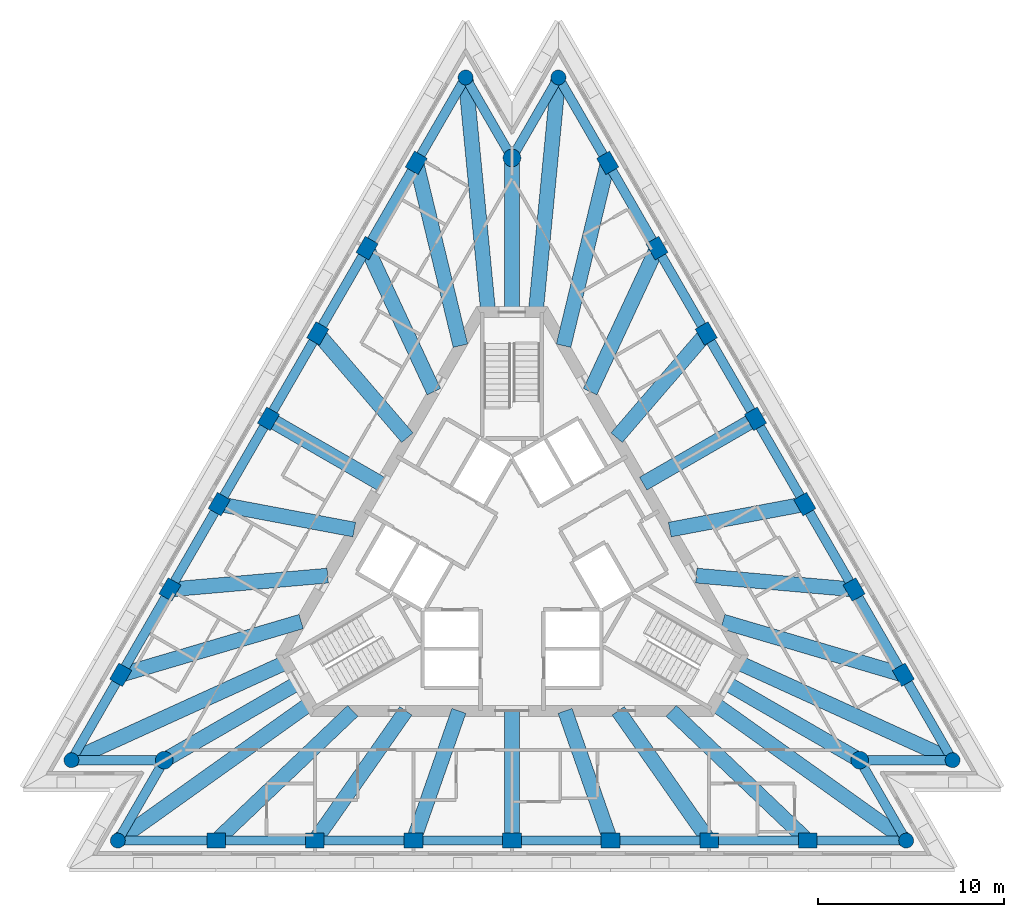
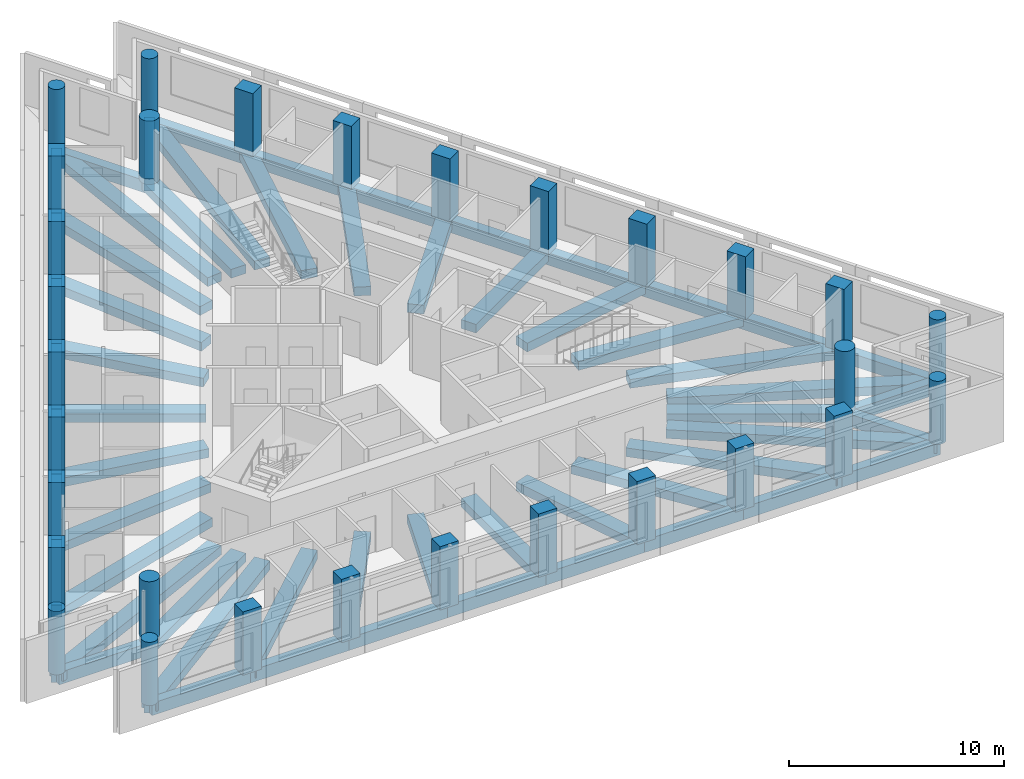
# One storey, part 1 of 11: 60 beams, 30 columns.
"""IFC4 building model written with IfcOpenShell, lengths in metres."""

from ifc_helpers import new_model, si_unit, direction, frame, origin, origin_2d, place, context, subcontext, project, spatial, rectangle, circle, extrude, material, material_profile, profile_set, type_object, element, save


model = new_model("IFC4")

# Units and contexts
model_context = context("Model", 3, precision=1e-05, world=origin(), true_north=direction((0.0, 1.0)))
body_context = subcontext(model_context, "Body", "Model", "MODEL_VIEW")
ifc_project = project(units=[si_unit("LENGTHUNIT", "METRE"), si_unit("AREAUNIT", "SQUARE_METRE"), si_unit("VOLUMEUNIT", "CUBIC_METRE"), si_unit("PLANEANGLEUNIT", "RADIAN"), si_unit("MASSUNIT", "GRAM", prefix="KILO")], contexts=[model_context])

# Site, building, storey
site_placement = place(None, origin())
site = spatial("IfcSite", under=ifc_project, at=site_placement, CompositionType="ELEMENT")
building_placement = place(site_placement, origin())
building = spatial("IfcBuilding", under=site, at=building_placement, Name="Triada Interchange Tower", CompositionType="ELEMENT")
storey_placement = place(building_placement, frame((0.0, 0.0, 300.699951171875)))
storey = spatial("IfcBuildingStorey", under=building, at=storey_placement, Name="L71", CompositionType="ELEMENT", Elevation=300.699951171875)

# Columns
ifc_material_1 = material(Name="Concrete C40/50", Category="concrete")
ifc_material_profile_1 = material_profile(ifc_material_1, rectangle(XDim=1.0, YDim=0.800048828125, at=origin_2d()), Name="RC 1000x800")
ifc_profile_set_1 = profile_set([ifc_material_profile_1], Name="Concrete C40/50")
column_type_1 = type_object("IfcColumnType", Name="Column D face RC 1000x800", PredefinedType="COLUMN", material=ifc_profile_set_1)
for number, where, z_axis, x_axis, name in (
    (1, (-5.14794921875, 21.3359375, -0.300048828125), (0.0, 0.0, 1.0), (0.5, 0.866025403784, 0.0), "Column CD02 L71"),
    (2, (-7.799072265625, 16.7451171875, -0.300048828125), (0.0, 0.0, 1.0), (0.5, 0.866025403784, 0.0), "Column CD03 L71"),
    (3, (-10.449951171875, 12.154052734375, -0.300048828125), (0.0, 0.0, 1.0), (0.5, 0.866025403784, 0.0), "Column CD04 L71"),
    (4, (-13.10009765625, 7.56298828125, -0.300048828125), (0.0, 0.0, 1.0), (0.5, 0.866025403784, 0.0), "Column CD05 L71"),
    (5, (-15.7509765625, 2.972900390625, -0.300048828125), (0.0, 0.0, 1.0), (0.5, 0.866025403784, 0.0), "Column CD06 L71"),
    (6, (-18.40087890625, -1.617919921875, -0.300048828125), (0.0, 0.0, 1.0), (0.5, 0.866025403784, 0.0), "Column CD07 L71"),
    (7, (-21.052001953125, -6.208984375, -0.300048828125), (0.0, 0.0, 1.0), (0.5, 0.866025403784, 0.0), "Column CD08 L71"),
    (8, (-15.903076171875, -15.126953125, -0.300048828125), (0.0, 0.0, 1.0), (1.0, 0.0, 0.0), "Column CD11 L71"),
    (9, (-10.60205078125, -15.126953125, -0.300048828125), (0.0, 0.0, 1.0), (1.0, 0.0, 0.0), "Column CD12 L71"),
    (10, (-5.301025390625, -15.126953125, -0.300048828125), (0.0, 0.0, 1.0), (1.0, 0.0, 0.0), "Column CD13 L71"),
    (11, (0.0, -15.126953125, -0.300048828125), (0.0, 0.0, 1.0), (1.0, 0.0, 0.0), "Column CD14 L71"),
    (12, (5.301025390625, -15.126953125, -0.300048828125), (0.0, 0.0, 1.0), (1.0, 0.0, 0.0), "Column CD15 L71"),
    (13, (10.60205078125, -15.126953125, -0.300048828125), (0.0, 0.0, 1.0), (1.0, 0.0, 0.0), "Column CD16 L71"),
    (14, (15.903076171875, -15.126953125, -0.300048828125), (0.0, 0.0, 1.0), (1.0, 0.0, 0.0), "Column CD17 L71"),
    (15, (21.052001953125, -6.208984375, -0.300048828125), (0.0, 0.0, 1.0), (-0.5, 0.866025403784, 0.0), "Column CD20 L71"),
    (16, (18.40087890625, -1.617919921875, -0.300048828125), (0.0, 0.0, 1.0), (-0.5, 0.866025403784, 0.0), "Column CD21 L71"),
    (17, (15.7509765625, 2.972900390625, -0.300048828125), (0.0, 0.0, 1.0), (-0.5, 0.866025403784, 0.0), "Column CD22 L71"),
    (18, (13.10009765625, 7.56396484375, -0.300048828125), (0.0, 0.0, 1.0), (-0.5, 0.866025403784, 0.0), "Column CD23 L71"),
    (19, (10.449951171875, 12.154052734375, -0.300048828125), (0.0, 0.0, 1.0), (-0.5, 0.866025403784, 0.0), "Column CD24 L71"),
    (20, (7.799072265625, 16.7451171875, -0.300048828125), (0.0, 0.0, 1.0), (-0.5, 0.866025403784, 0.0), "Column CD25 L71"),
    (21, (5.14892578125, 21.3359375, -0.300048828125), (0.0, 0.0, 1.0), (-0.5, 0.866025403784, 0.0), "Column CD26 L71"),
):
    element("IfcColumn", number, at=place(storey_placement, frame(where, z_axis=z_axis, x_axis=x_axis)), inside=storey, type_object=column_type_1, Name=name, PredefinedType="COLUMN", context=body_context, shape_type="SweptSolid", body=[
        extrude(rectangle(XDim=1.0, YDim=0.800048828125, at=origin_2d()), origin(), (0.0, 0.0, 1.0), 3.60009765625),
    ])
ifc_material_profile_2 = material_profile(ifc_material_1, circle(Radius=0.39990234375, at=origin_2d()), Name="RC D800")
ifc_profile_set_2 = profile_set([ifc_material_profile_2], Name="Concrete C40/50")
column_type_2 = type_object("IfcColumnType", Name="End column D RC D800", PredefinedType="COLUMN", material=ifc_profile_set_2)
for number, where, z_axis, x_axis, name in (
    (22, (-2.498046875, 25.927001953125, -0.300048828125), (0.0, 0.0, 1.0), (0.5, 0.866025403784, 0.0), "Column CD01 L71"),
    (23, (-23.701904296875, -10.800048828125, -0.300048828125), (0.0, 0.0, 1.0), (0.5, 0.866025403784, 0.0), "Column CD09 L71"),
    (24, (-21.2041015625, -15.126953125, -0.300048828125), (0.0, 0.0, 1.0), (1.0, 0.0, 0.0), "Column CD10 L71"),
    (25, (21.2041015625, -15.126953125, -0.300048828125), (0.0, 0.0, 1.0), (1.0, 0.0, 0.0), "Column CD18 L71"),
    (26, (23.701904296875, -10.800048828125, -0.300048828125), (0.0, 0.0, 1.0), (-0.5, 0.866025403784, 0.0), "Column CD19 L71"),
    (27, (2.498046875, 25.927001953125, -0.300048828125), (0.0, 0.0, 1.0), (-0.5, 0.866025403784, 0.0), "Column CD27 L71"),
):
    element("IfcColumn", number, at=place(storey_placement, frame(where, z_axis=z_axis, x_axis=x_axis)), inside=storey, type_object=column_type_2, Name=name, PredefinedType="COLUMN", context=body_context, shape_type="SweptSolid", body=[
        extrude(circle(Radius=0.39990234375, at=origin_2d()), origin(), (0.0, 0.0, 1.0), 3.60009765625),
    ])
ifc_material_profile_3 = material_profile(ifc_material_1, circle(Radius=0.47509765625, at=origin_2d()), Name="RC D950")
ifc_profile_set_3 = profile_set([ifc_material_profile_3], Name="Concrete C40/50")
column_type_3 = type_object("IfcColumnType", Name="Mega column D RC D950", PredefinedType="COLUMN", material=ifc_profile_set_3)
for number, where, z_axis, x_axis, name in (
    (28, (0.0, 21.59912109375, -0.300048828125), (0.0, 0.0, 1.0), (1.0, 0.0, 0.0), "Column MD1 L71"),
    (29, (-18.705078125, -10.800048828125, -0.300048828125), (0.0, 0.0, 1.0), (1.0, 0.0, 0.0), "Column MD2 L71"),
    (30, (18.705078125, -10.800048828125, -0.300048828125), (0.0, 0.0, 1.0), (1.0, 0.0, 0.0), "Column MD3 L71"),
):
    element("IfcColumn", number, at=place(storey_placement, frame(where, z_axis=z_axis, x_axis=x_axis)), inside=storey, type_object=column_type_3, Name=name, PredefinedType="COLUMN", context=body_context, shape_type="SweptSolid", body=[
        extrude(circle(Radius=0.47509765625, at=origin_2d()), origin(), (0.0, 0.0, 1.0), 3.60009765625),
    ])

# Beams
ifc_material_2 = material(Name="Concrete C50/60", Category="concrete")
ifc_material_profile_4 = material_profile(ifc_material_2, rectangle(XDim=0.800048828125, YDim=0.5, at=origin_2d()), Name="RC 800x500")
ifc_profile_set_4 = profile_set([ifc_material_profile_4], Name="Concrete C50/60")
beam_type_1 = type_object("IfcBeamType", Name="Radial band beam D RC 800x500", PredefinedType="BEAM", material=ifc_profile_set_4)
beam_1_placement = place(storey_placement, frame((-2.498046875, 25.927001953125, -0.550048828125), z_axis=(0.095939769878, -0.995387141044, 0.0), x_axis=(0.995387141044, 0.095939769878, 0.0)))
element("IfcBeam", 31, at=beam_1_placement, inside=storey, type_object=beam_type_1, Name="Radial band beam BD01 L71", PredefinedType="BEAM", context=body_context, shape_type="SweptSolid", body=[
    extrude(rectangle(XDim=0.800048828125, YDim=0.5, at=origin_2d()), origin(), (0.0, 0.0, 1.0), 12.685546875),
])
beam_2_placement = place(storey_placement, frame((-5.14794921875, 21.3359375, -0.550048828125), z_axis=(0.23453679136, -0.972107243826, 0.0), x_axis=(0.972107243826, 0.23453679136, 0.0)))
element("IfcBeam", 32, at=beam_2_placement, inside=storey, type_object=beam_type_1, Name="Radial band beam BD02 L71", PredefinedType="BEAM", context=body_context, shape_type="SweptSolid", body=[
    extrude(rectangle(XDim=0.800048828125, YDim=0.5, at=origin_2d()), origin(), (0.0, 0.0, 1.0), 10.1220703125),
])
beam_3_placement = place(storey_placement, frame((-7.799072265625, 16.7451171875, -0.550048828125), z_axis=(0.422213926037, -0.906496222088, 0.0), x_axis=(0.906496222088, 0.422213926037, 0.0)))
element("IfcBeam", 33, at=beam_3_placement, inside=storey, type_object=beam_type_1, Name="Radial band beam BD03 L71", PredefinedType="BEAM", context=body_context, shape_type="SweptSolid", body=[
    extrude(rectangle(XDim=0.800048828125, YDim=0.5, at=origin_2d()), origin(), (0.0, 0.0, 1.0), 8.519775390625),
])
beam_4_placement = place(storey_placement, frame((-10.449951171875, 12.154052734375, -0.550048828125), z_axis=(0.651957260015, -0.758255716176, 0.0), x_axis=(0.758255716176, 0.651957260015, 0.0)))
element("IfcBeam", 34, at=beam_4_placement, inside=storey, type_object=beam_type_1, Name="Radial band beam BD04 L71", PredefinedType="BEAM", context=body_context, shape_type="SweptSolid", body=[
    extrude(rectangle(XDim=0.800048828125, YDim=0.5, at=origin_2d()), origin(), (0.0, 0.0, 1.0), 7.393310546875),
])
beam_5_placement = place(storey_placement, frame((-13.10009765625, 7.56298828125, -0.550048828125), z_axis=(0.866044563634, -0.499966812698, 0.0), x_axis=(0.499966812698, 0.866044563634, 0.0)))
element("IfcBeam", 35, at=beam_5_placement, inside=storey, type_object=beam_type_1, Name="Radial band beam BD05 L71", PredefinedType="BEAM", context=body_context, shape_type="SweptSolid", body=[
    extrude(rectangle(XDim=0.800048828125, YDim=0.5, at=origin_2d()), origin(), (0.0, 0.0, 1.0), 6.9765625),
])
beam_6_placement = place(storey_placement, frame((-15.7509765625, 2.972900390625, -0.550048828125), z_axis=(0.98265881565, -0.18542290049, 0.0), x_axis=(0.18542290049, 0.98265881565, 0.0)))
element("IfcBeam", 36, at=beam_6_placement, inside=storey, type_object=beam_type_1, Name="Radial band beam BD06 L71", PredefinedType="BEAM", context=body_context, shape_type="SweptSolid", body=[
    extrude(rectangle(XDim=0.800048828125, YDim=0.5, at=origin_2d()), origin(), (0.0, 0.0, 1.0), 7.39306640625),
])
beam_7_placement = place(storey_placement, frame((-18.40087890625, -1.617919921875, -0.550048828125), z_axis=(0.99616048749, 0.087545891758, 0.0), x_axis=(-0.087545891758, 0.99616048749, 0.0)))
element("IfcBeam", 37, at=beam_7_placement, inside=storey, type_object=beam_type_1, Name="Radial band beam BD07 L71", PredefinedType="BEAM", context=body_context, shape_type="SweptSolid", body=[
    extrude(rectangle(XDim=0.800048828125, YDim=0.5, at=origin_2d()), origin(), (0.0, 0.0, 1.0), 8.51953125),
])
beam_8_placement = place(storey_placement, frame((-21.052001953125, -6.208984375, -0.550048828125), z_axis=(0.959147479371, 0.282906544315, 0.0), x_axis=(-0.282906544315, 0.959147479371, 0.0)))
element("IfcBeam", 38, at=beam_8_placement, inside=storey, type_object=beam_type_1, Name="Radial band beam BD08 L71", PredefinedType="BEAM", context=body_context, shape_type="SweptSolid", body=[
    extrude(rectangle(XDim=0.800048828125, YDim=0.5, at=origin_2d()), origin(), (0.0, 0.0, 1.0), 10.12353515625),
])
beam_9_placement = place(storey_placement, frame((-23.701904296875, -10.800048828125, -0.550048828125), z_axis=(0.909973888485, 0.414665554725, 0.0), x_axis=(-0.414665554725, 0.909973888485, 0.0)))
element("IfcBeam", 39, at=beam_9_placement, inside=storey, type_object=beam_type_1, Name="Radial band beam BD09 L71", PredefinedType="BEAM", context=body_context, shape_type="SweptSolid", body=[
    extrude(rectangle(XDim=0.800048828125, YDim=0.5, at=origin_2d()), origin(), (0.0, 0.0, 1.0), 12.68505859375),
])
beam_10_placement = place(storey_placement, frame((-18.705078125, -10.800048828125, -0.550048828125), z_axis=(0.865987661239, 0.500065366309, 0.0), x_axis=(-0.500065366309, 0.865987661239, 0.0)))
element("IfcBeam", 40, at=beam_10_placement, inside=storey, type_object=beam_type_1, Name="Radial band beam BD10 L71", PredefinedType="BEAM", context=body_context, shape_type="SweptSolid", body=[
    extrude(rectangle(XDim=0.800048828125, YDim=0.5, at=origin_2d()), origin(), (0.0, 0.0, 1.0), 8.29931640625),
])
beam_11_placement = place(storey_placement, frame((-21.2041015625, -15.126953125, -0.550048828125), z_axis=(0.814090922147, 0.58073743678, 0.0), x_axis=(-0.58073743678, 0.814090922147, 0.0)))
element("IfcBeam", 41, at=beam_11_placement, inside=storey, type_object=beam_type_1, Name="Radial band beam BD11 L71", PredefinedType="BEAM", context=body_context, shape_type="SweptSolid", body=[
    extrude(rectangle(XDim=0.800048828125, YDim=0.5, at=origin_2d()), origin(), (0.0, 0.0, 1.0), 12.685546875),
])
beam_12_placement = place(storey_placement, frame((-15.903076171875, -15.126953125, -0.550048828125), z_axis=(0.724563348974, 0.689208207528, 0.0), x_axis=(-0.689208207528, 0.724563348974, 0.0)))
element("IfcBeam", 42, at=beam_12_placement, inside=storey, type_object=beam_type_1, Name="Radial band beam BD12 L71", PredefinedType="BEAM", context=body_context, shape_type="SweptSolid", body=[
    extrude(rectangle(XDim=0.800048828125, YDim=0.5, at=origin_2d()), origin(), (0.0, 0.0, 1.0), 10.123291015625),
])
beam_13_placement = place(storey_placement, frame((-10.60205078125, -15.126953125, -0.550048828125), z_axis=(0.573950716028, 0.818889843368, 0.0), x_axis=(-0.818889843368, 0.573950716028, 0.0)))
element("IfcBeam", 43, at=beam_13_placement, inside=storey, type_object=beam_type_1, Name="Radial band beam BD13 L71", PredefinedType="BEAM", context=body_context, shape_type="SweptSolid", body=[
    extrude(rectangle(XDim=0.800048828125, YDim=0.5, at=origin_2d()), origin(), (0.0, 0.0, 1.0), 8.52001953125),
])
beam_14_placement = place(storey_placement, frame((-5.301025390625, -15.126953125, -0.550048828125), z_axis=(0.330724020602, 0.943727514803, 0.0), x_axis=(-0.943727514803, 0.330724020602, 0.0)))
element("IfcBeam", 44, at=beam_14_placement, inside=storey, type_object=beam_type_1, Name="Radial band beam BD14 L71", PredefinedType="BEAM", context=body_context, shape_type="SweptSolid", body=[
    extrude(rectangle(XDim=0.800048828125, YDim=0.5, at=origin_2d()), origin(), (0.0, 0.0, 1.0), 7.39306640625),
])
beam_15_placement = place(storey_placement, frame((0.0, -15.126953125, -0.550048828125), z_axis=(0.0, 1.0, 0.0), x_axis=(-1.0, 0.0, 0.0)))
element("IfcBeam", 45, at=beam_15_placement, inside=storey, type_object=beam_type_1, Name="Radial band beam BD15 L71", PredefinedType="BEAM", context=body_context, shape_type="SweptSolid", body=[
    extrude(rectangle(XDim=0.800048828125, YDim=0.5, at=origin_2d()), origin(), (0.0, 0.0, 1.0), 6.97705078125),
])
beam_16_placement = place(storey_placement, frame((5.301025390625, -15.126953125, -0.550048828125), z_axis=(-0.330724020602, 0.943727514803, 0.0), x_axis=(-0.943727514803, -0.330724020602, 0.0)))
element("IfcBeam", 46, at=beam_16_placement, inside=storey, type_object=beam_type_1, Name="Radial band beam BD16 L71", PredefinedType="BEAM", context=body_context, shape_type="SweptSolid", body=[
    extrude(rectangle(XDim=0.800048828125, YDim=0.5, at=origin_2d()), origin(), (0.0, 0.0, 1.0), 7.39306640625),
])
beam_17_placement = place(storey_placement, frame((10.60205078125, -15.126953125, -0.550048828125), z_axis=(-0.573950716028, 0.818889843368, 0.0), x_axis=(-0.818889843368, -0.573950716028, 0.0)))
element("IfcBeam", 47, at=beam_17_placement, inside=storey, type_object=beam_type_1, Name="Radial band beam BD17 L71", PredefinedType="BEAM", context=body_context, shape_type="SweptSolid", body=[
    extrude(rectangle(XDim=0.800048828125, YDim=0.5, at=origin_2d()), origin(), (0.0, 0.0, 1.0), 8.52001953125),
])
beam_18_placement = place(storey_placement, frame((15.903076171875, -15.126953125, -0.550048828125), z_axis=(-0.724563348974, 0.689208207528, 0.0), x_axis=(-0.689208207528, -0.724563348974, 0.0)))
element("IfcBeam", 48, at=beam_18_placement, inside=storey, type_object=beam_type_1, Name="Radial band beam BD18 L71", PredefinedType="BEAM", context=body_context, shape_type="SweptSolid", body=[
    extrude(rectangle(XDim=0.800048828125, YDim=0.5, at=origin_2d()), origin(), (0.0, 0.0, 1.0), 10.123291015625),
])
beam_19_placement = place(storey_placement, frame((21.2041015625, -15.126953125, -0.550048828125), z_axis=(-0.814090922147, 0.58073743678, 0.0), x_axis=(-0.58073743678, -0.814090922147, 0.0)))
element("IfcBeam", 49, at=beam_19_placement, inside=storey, type_object=beam_type_1, Name="Radial band beam BD19 L71", PredefinedType="BEAM", context=body_context, shape_type="SweptSolid", body=[
    extrude(rectangle(XDim=0.800048828125, YDim=0.5, at=origin_2d()), origin(), (0.0, 0.0, 1.0), 12.685546875),
])
beam_20_placement = place(storey_placement, frame((18.705078125, -10.800048828125, -0.550048828125), z_axis=(-0.865987661239, 0.500065366309, 0.0), x_axis=(-0.500065366309, -0.865987661239, 0.0)))
element("IfcBeam", 50, at=beam_20_placement, inside=storey, type_object=beam_type_1, Name="Radial band beam BD20 L71", PredefinedType="BEAM", context=body_context, shape_type="SweptSolid", body=[
    extrude(rectangle(XDim=0.800048828125, YDim=0.5, at=origin_2d()), origin(), (0.0, 0.0, 1.0), 8.29931640625),
])
beam_21_placement = place(storey_placement, frame((23.701904296875, -10.800048828125, -0.550048828125), z_axis=(-0.909973888485, 0.414665554725, 0.0), x_axis=(-0.414665554725, -0.909973888485, 0.0)))
element("IfcBeam", 51, at=beam_21_placement, inside=storey, type_object=beam_type_1, Name="Radial band beam BD21 L71", PredefinedType="BEAM", context=body_context, shape_type="SweptSolid", body=[
    extrude(rectangle(XDim=0.800048828125, YDim=0.5, at=origin_2d()), origin(), (0.0, 0.0, 1.0), 12.68505859375),
])
beam_22_placement = place(storey_placement, frame((21.052001953125, -6.208984375, -0.550048828125), z_axis=(-0.959147479371, 0.282906544315, 0.0), x_axis=(-0.282906544315, -0.959147479371, 0.0)))
element("IfcBeam", 52, at=beam_22_placement, inside=storey, type_object=beam_type_1, Name="Radial band beam BD22 L71", PredefinedType="BEAM", context=body_context, shape_type="SweptSolid", body=[
    extrude(rectangle(XDim=0.800048828125, YDim=0.5, at=origin_2d()), origin(), (0.0, 0.0, 1.0), 10.12353515625),
])
beam_23_placement = place(storey_placement, frame((18.40087890625, -1.617919921875, -0.550048828125), z_axis=(-0.99616048749, 0.087545891758, 0.0), x_axis=(-0.087545891758, -0.99616048749, 0.0)))
element("IfcBeam", 53, at=beam_23_placement, inside=storey, type_object=beam_type_1, Name="Radial band beam BD23 L71", PredefinedType="BEAM", context=body_context, shape_type="SweptSolid", body=[
    extrude(rectangle(XDim=0.800048828125, YDim=0.5, at=origin_2d()), origin(), (0.0, 0.0, 1.0), 8.51953125),
])
beam_24_placement = place(storey_placement, frame((15.7509765625, 2.972900390625, -0.550048828125), z_axis=(-0.98265881565, -0.18542290049, 0.0), x_axis=(0.18542290049, -0.98265881565, 0.0)))
element("IfcBeam", 54, at=beam_24_placement, inside=storey, type_object=beam_type_1, Name="Radial band beam BD24 L71", PredefinedType="BEAM", context=body_context, shape_type="SweptSolid", body=[
    extrude(rectangle(XDim=0.800048828125, YDim=0.5, at=origin_2d()), origin(), (0.0, 0.0, 1.0), 7.39306640625),
])
beam_25_placement = place(storey_placement, frame((13.10009765625, 7.56396484375, -0.550048828125), z_axis=(-0.865983951896, -0.500071789904, 0.0), x_axis=(0.500071789904, -0.865983951896, 0.0)))
element("IfcBeam", 55, at=beam_25_placement, inside=storey, type_object=beam_type_1, Name="Radial band beam BD25 L71", PredefinedType="BEAM", context=body_context, shape_type="SweptSolid", body=[
    extrude(rectangle(XDim=0.800048828125, YDim=0.5, at=origin_2d()), origin(), (0.0, 0.0, 1.0), 6.97705078125),
])
beam_26_placement = place(storey_placement, frame((10.449951171875, 12.154052734375, -0.550048828125), z_axis=(-0.651957260015, -0.758255716176, 0.0), x_axis=(0.758255716176, -0.651957260015, 0.0)))
element("IfcBeam", 56, at=beam_26_placement, inside=storey, type_object=beam_type_1, Name="Radial band beam BD26 L71", PredefinedType="BEAM", context=body_context, shape_type="SweptSolid", body=[
    extrude(rectangle(XDim=0.800048828125, YDim=0.5, at=origin_2d()), origin(), (0.0, 0.0, 1.0), 7.393310546875),
])
beam_27_placement = place(storey_placement, frame((7.799072265625, 16.7451171875, -0.550048828125), z_axis=(-0.422213926037, -0.906496222088, 0.0), x_axis=(0.906496222088, -0.422213926037, 0.0)))
element("IfcBeam", 57, at=beam_27_placement, inside=storey, type_object=beam_type_1, Name="Radial band beam BD27 L71", PredefinedType="BEAM", context=body_context, shape_type="SweptSolid", body=[
    extrude(rectangle(XDim=0.800048828125, YDim=0.5, at=origin_2d()), origin(), (0.0, 0.0, 1.0), 8.519775390625),
])
beam_28_placement = place(storey_placement, frame((5.14892578125, 21.3359375, -0.550048828125), z_axis=(-0.234605956845, -0.972090553916, 0.0), x_axis=(0.972090553916, -0.234605956845, 0.0)))
element("IfcBeam", 58, at=beam_28_placement, inside=storey, type_object=beam_type_1, Name="Radial band beam BD28 L71", PredefinedType="BEAM", context=body_context, shape_type="SweptSolid", body=[
    extrude(rectangle(XDim=0.800048828125, YDim=0.5, at=origin_2d()), origin(), (0.0, 0.0, 1.0), 10.123291015625),
])
beam_29_placement = place(storey_placement, frame((2.498046875, 25.927001953125, -0.550048828125), z_axis=(-0.095939769878, -0.995387141044, 0.0), x_axis=(0.995387141044, -0.095939769878, 0.0)))
element("IfcBeam", 59, at=beam_29_placement, inside=storey, type_object=beam_type_1, Name="Radial band beam BD29 L71", PredefinedType="BEAM", context=body_context, shape_type="SweptSolid", body=[
    extrude(rectangle(XDim=0.800048828125, YDim=0.5, at=origin_2d()), origin(), (0.0, 0.0, 1.0), 12.685546875),
])
beam_30_placement = place(storey_placement, frame((0.0, 21.59912109375, -0.550048828125), z_axis=(0.0, -1.0, 0.0), x_axis=(1.0, 0.0, 0.0)))
element("IfcBeam", 60, at=beam_30_placement, inside=storey, type_object=beam_type_1, Name="Radial band beam BD30 L71", PredefinedType="BEAM", context=body_context, shape_type="SweptSolid", body=[
    extrude(rectangle(XDim=0.800048828125, YDim=0.5, at=origin_2d()), origin(), (0.0, 0.0, 1.0), 8.299072265625),
])
ifc_material_profile_5 = material_profile(ifc_material_2, rectangle(XDim=0.5, YDim=0.699951171875, at=origin_2d()), Name="RC 500x700")
ifc_profile_set_5 = profile_set([ifc_material_profile_5], Name="Concrete C50/60")
beam_type_2 = type_object("IfcBeamType", Name="Spandrel beam D RC 500x700", PredefinedType="BEAM", material=ifc_profile_set_5)
beam_31_placement = place(storey_placement, frame((-2.498046875, 25.927001953125, -0.64990234375), z_axis=(-0.499893889275, -0.866086658173, 0.0), x_axis=(0.866086658173, -0.499893889275, 0.0)))
element("IfcBeam", 61, at=beam_31_placement, inside=storey, type_object=beam_type_2, Name="Spandrel beam ED01 L71", PredefinedType="BEAM", context=body_context, shape_type="SweptSolid", body=[
    extrude(rectangle(XDim=0.5, YDim=0.699951171875, at=origin_2d()), origin(), (0.0, 0.0, 1.0), 5.301025390625),
])
beam_32_placement = place(storey_placement, frame((-5.14794921875, 21.3359375, -0.64990234375), z_axis=(-0.500086537648, -0.865975435485, 0.0), x_axis=(0.865975435485, -0.500086537648, 0.0)))
element("IfcBeam", 62, at=beam_32_placement, inside=storey, type_object=beam_type_2, Name="Spandrel beam ED02 L71", PredefinedType="BEAM", context=body_context, shape_type="SweptSolid", body=[
    extrude(rectangle(XDim=0.5, YDim=0.699951171875, at=origin_2d()), origin(), (0.0, 0.0, 1.0), 5.30126953125),
])
beam_33_placement = place(storey_placement, frame((-7.799072265625, 16.7451171875, -0.64990234375), z_axis=(-0.500032058303, -0.866006894123, 0.0), x_axis=(0.866006894123, -0.500032058303, 0.0)))
element("IfcBeam", 63, at=beam_33_placement, inside=storey, type_object=beam_type_2, Name="Spandrel beam ED03 L71", PredefinedType="BEAM", context=body_context, shape_type="SweptSolid", body=[
    extrude(rectangle(XDim=0.5, YDim=0.699951171875, at=origin_2d()), origin(), (0.0, 0.0, 1.0), 5.301513671875),
])
beam_34_placement = place(storey_placement, frame((-10.449951171875, 12.154052734375, -0.64990234375), z_axis=(-0.499928435111, -0.86606671785, 0.0), x_axis=(0.86606671785, -0.499928435111, 0.0)))
element("IfcBeam", 64, at=beam_34_placement, inside=storey, type_object=beam_type_2, Name="Spandrel beam ED04 L71", PredefinedType="BEAM", context=body_context, shape_type="SweptSolid", body=[
    extrude(rectangle(XDim=0.5, YDim=0.699951171875, at=origin_2d()), origin(), (0.0, 0.0, 1.0), 5.301025390625),
])
beam_35_placement = place(storey_placement, frame((-13.10009765625, 7.56298828125, -0.64990234375), z_axis=(-0.500111836632, -0.865960825246, 0.0), x_axis=(0.865960825246, -0.500111836632, 0.0)))
element("IfcBeam", 65, at=beam_35_placement, inside=storey, type_object=beam_type_2, Name="Spandrel beam ED05 L71", PredefinedType="BEAM", context=body_context, shape_type="SweptSolid", body=[
    extrude(rectangle(XDim=0.5, YDim=0.699951171875, at=origin_2d()), origin(), (0.0, 0.0, 1.0), 5.300537109375),
])
beam_36_placement = place(storey_placement, frame((-15.7509765625, 2.972900390625, -0.64990234375), z_axis=(-0.499913830031, -0.866075148324, 0.0), x_axis=(0.866075148324, -0.499913830031, 0.0)))
element("IfcBeam", 66, at=beam_36_placement, inside=storey, type_object=beam_type_2, Name="Spandrel beam ED06 L71", PredefinedType="BEAM", context=body_context, shape_type="SweptSolid", body=[
    extrude(rectangle(XDim=0.5, YDim=0.699951171875, at=origin_2d()), origin(), (0.0, 0.0, 1.0), 5.30078125),
])
beam_37_placement = place(storey_placement, frame((-18.40087890625, -1.617919921875, -0.64990234375), z_axis=(-0.500066594595, -0.865986951963, 0.0), x_axis=(0.865986951963, -0.500066594595, 0.0)))
element("IfcBeam", 67, at=beam_37_placement, inside=storey, type_object=beam_type_2, Name="Spandrel beam ED07 L71", PredefinedType="BEAM", context=body_context, shape_type="SweptSolid", body=[
    extrude(rectangle(XDim=0.5, YDim=0.699951171875, at=origin_2d()), origin(), (0.0, 0.0, 1.0), 5.301513671875),
])
beam_38_placement = place(storey_placement, frame((-21.052001953125, -6.208984375, -0.64990234375), z_axis=(-0.499893889275, -0.866086658173, 0.0), x_axis=(0.866086658173, -0.499893889275, 0.0)))
element("IfcBeam", 68, at=beam_38_placement, inside=storey, type_object=beam_type_2, Name="Spandrel beam ED08 L71", PredefinedType="BEAM", context=body_context, shape_type="SweptSolid", body=[
    extrude(rectangle(XDim=0.5, YDim=0.699951171875, at=origin_2d()), origin(), (0.0, 0.0, 1.0), 5.301025390625),
])
for number, where, z_axis, x_axis, name in (
    (69, (-23.701904296875, -10.800048828125, -0.64990234375), (1.0, 0.0, 0.0), (0.0, 1.0, 0.0), "Spandrel beam ED09 L71"),
    (70, (-18.705078125, -10.800048828125, -0.64990234375), (-0.5001326927, -0.865948780063, 0.0), (0.865948780063, -0.5001326927, 0.0), "Spandrel beam ED10 L71"),
):
    element("IfcBeam", number, at=place(storey_placement, frame(where, z_axis=z_axis, x_axis=x_axis)), inside=storey, type_object=beam_type_2, Name=name, PredefinedType="BEAM", context=body_context, shape_type="SweptSolid", body=[
        extrude(rectangle(XDim=0.5, YDim=0.699951171875, at=origin_2d()), origin(), (0.0, 0.0, 1.0), 4.996826171875),
    ])
for number, where, z_axis, x_axis, name in (
    (71, (-21.2041015625, -15.126953125, -0.64990234375), (1.0, 0.0, 0.0), (0.0, 1.0, 0.0), "Spandrel beam ED11 L71"),
    (72, (-15.903076171875, -15.126953125, -0.64990234375), (1.0, 0.0, 0.0), (0.0, 1.0, 0.0), "Spandrel beam ED12 L71"),
    (73, (-10.60205078125, -15.126953125, -0.64990234375), (1.0, 0.0, 0.0), (0.0, 1.0, 0.0), "Spandrel beam ED13 L71"),
    (74, (-5.301025390625, -15.126953125, -0.64990234375), (1.0, 0.0, 0.0), (0.0, 1.0, 0.0), "Spandrel beam ED14 L71"),
    (75, (0.0, -15.126953125, -0.64990234375), (1.0, 0.0, 0.0), (0.0, 1.0, 0.0), "Spandrel beam ED15 L71"),
    (76, (5.301025390625, -15.126953125, -0.64990234375), (1.0, 0.0, 0.0), (0.0, 1.0, 0.0), "Spandrel beam ED16 L71"),
    (77, (10.60205078125, -15.126953125, -0.64990234375), (1.0, 0.0, 0.0), (0.0, 1.0, 0.0), "Spandrel beam ED17 L71"),
    (78, (15.903076171875, -15.126953125, -0.64990234375), (1.0, 0.0, 0.0), (0.0, 1.0, 0.0), "Spandrel beam ED18 L71"),
):
    element("IfcBeam", number, at=place(storey_placement, frame(where, z_axis=z_axis, x_axis=x_axis)), inside=storey, type_object=beam_type_2, Name=name, PredefinedType="BEAM", context=body_context, shape_type="SweptSolid", body=[
        extrude(rectangle(XDim=0.5, YDim=0.699951171875, at=origin_2d()), origin(), (0.0, 0.0, 1.0), 5.301025390625),
    ])
for number, where, z_axis, x_axis, name in (
    (79, (21.2041015625, -15.126953125, -0.64990234375), (-0.5001326927, 0.865948780063, 0.0), (-0.865948780063, -0.5001326927, 0.0), "Spandrel beam ED19 L71"),
    (80, (18.705078125, -10.800048828125, -0.64990234375), (1.0, 0.0, 0.0), (0.0, 1.0, 0.0), "Spandrel beam ED20 L71"),
):
    element("IfcBeam", number, at=place(storey_placement, frame(where, z_axis=z_axis, x_axis=x_axis)), inside=storey, type_object=beam_type_2, Name=name, PredefinedType="BEAM", context=body_context, shape_type="SweptSolid", body=[
        extrude(rectangle(XDim=0.5, YDim=0.699951171875, at=origin_2d()), origin(), (0.0, 0.0, 1.0), 4.996826171875),
    ])
beam_39_placement = place(storey_placement, frame((23.701904296875, -10.800048828125, -0.64990234375), z_axis=(-0.499893889275, 0.866086658173, 0.0), x_axis=(-0.866086658173, -0.499893889275, 0.0)))
element("IfcBeam", 81, at=beam_39_placement, inside=storey, type_object=beam_type_2, Name="Spandrel beam ED21 L71", PredefinedType="BEAM", context=body_context, shape_type="SweptSolid", body=[
    extrude(rectangle(XDim=0.5, YDim=0.699951171875, at=origin_2d()), origin(), (0.0, 0.0, 1.0), 5.301025390625),
])
beam_40_placement = place(storey_placement, frame((21.052001953125, -6.208984375, -0.64990234375), z_axis=(-0.500066594595, 0.865986951963, 0.0), x_axis=(-0.865986951963, -0.500066594595, 0.0)))
element("IfcBeam", 82, at=beam_40_placement, inside=storey, type_object=beam_type_2, Name="Spandrel beam ED22 L71", PredefinedType="BEAM", context=body_context, shape_type="SweptSolid", body=[
    extrude(rectangle(XDim=0.5, YDim=0.699951171875, at=origin_2d()), origin(), (0.0, 0.0, 1.0), 5.301513671875),
])
beam_41_placement = place(storey_placement, frame((18.40087890625, -1.617919921875, -0.64990234375), z_axis=(-0.499913830031, 0.866075148324, 0.0), x_axis=(-0.866075148324, -0.499913830031, 0.0)))
element("IfcBeam", 83, at=beam_41_placement, inside=storey, type_object=beam_type_2, Name="Spandrel beam ED23 L71", PredefinedType="BEAM", context=body_context, shape_type="SweptSolid", body=[
    extrude(rectangle(XDim=0.5, YDim=0.699951171875, at=origin_2d()), origin(), (0.0, 0.0, 1.0), 5.30078125),
])
beam_42_placement = place(storey_placement, frame((15.7509765625, 2.972900390625, -0.64990234375), z_axis=(-0.500032058303, 0.866006894123, 0.0), x_axis=(-0.866006894123, -0.500032058303, 0.0)))
element("IfcBeam", 84, at=beam_42_placement, inside=storey, type_object=beam_type_2, Name="Spandrel beam ED24 L71", PredefinedType="BEAM", context=body_context, shape_type="SweptSolid", body=[
    extrude(rectangle(XDim=0.5, YDim=0.699951171875, at=origin_2d()), origin(), (0.0, 0.0, 1.0), 5.301513671875),
])
beam_43_placement = place(storey_placement, frame((13.10009765625, 7.56396484375, -0.64990234375), z_axis=(-0.50000820793, 0.866020664882, 0.0), x_axis=(-0.866020664882, -0.50000820793, 0.0)))
element("IfcBeam", 85, at=beam_43_placement, inside=storey, type_object=beam_type_2, Name="Spandrel beam ED25 L71", PredefinedType="BEAM", context=body_context, shape_type="SweptSolid", body=[
    extrude(rectangle(XDim=0.5, YDim=0.699951171875, at=origin_2d()), origin(), (0.0, 0.0, 1.0), 5.30029296875),
])
beam_44_placement = place(storey_placement, frame((10.449951171875, 12.154052734375, -0.64990234375), z_axis=(-0.500032058303, 0.866006894123, 0.0), x_axis=(-0.866006894123, -0.500032058303, 0.0)))
element("IfcBeam", 86, at=beam_44_placement, inside=storey, type_object=beam_type_2, Name="Spandrel beam ED26 L71", PredefinedType="BEAM", context=body_context, shape_type="SweptSolid", body=[
    extrude(rectangle(XDim=0.5, YDim=0.699951171875, at=origin_2d()), origin(), (0.0, 0.0, 1.0), 5.301513671875),
])
beam_45_placement = place(storey_placement, frame((7.799072265625, 16.7451171875, -0.64990234375), z_axis=(-0.499948376327, 0.866055206675, 0.0), x_axis=(-0.866055206675, -0.499948376327, 0.0)))
element("IfcBeam", 87, at=beam_45_placement, inside=storey, type_object=beam_type_2, Name="Spandrel beam ED27 L71", PredefinedType="BEAM", context=body_context, shape_type="SweptSolid", body=[
    extrude(rectangle(XDim=0.5, YDim=0.699951171875, at=origin_2d()), origin(), (0.0, 0.0, 1.0), 5.30078125),
])
beam_46_placement = place(storey_placement, frame((5.14892578125, 21.3359375, -0.64990234375), z_axis=(-0.500032058303, 0.866006894123, 0.0), x_axis=(-0.866006894123, -0.500032058303, 0.0)))
element("IfcBeam", 88, at=beam_46_placement, inside=storey, type_object=beam_type_2, Name="Spandrel beam ED28 L71", PredefinedType="BEAM", context=body_context, shape_type="SweptSolid", body=[
    extrude(rectangle(XDim=0.5, YDim=0.699951171875, at=origin_2d()), origin(), (0.0, 0.0, 1.0), 5.301513671875),
])
for number, where, z_axis, x_axis, name in (
    (89, (2.498046875, 25.927001953125, -0.64990234375), (-0.499901493578, -0.866082269024, 0.0), (0.866082269024, -0.499901493578, 0.0), "Spandrel beam ED29 L71"),
    (90, (0.0, 21.59912109375, -0.64990234375), (-0.499901493578, 0.866082269024, 0.0), (-0.866082269024, -0.499901493578, 0.0), "Spandrel beam ED30 L71"),
):
    element("IfcBeam", number, at=place(storey_placement, frame(where, z_axis=z_axis, x_axis=x_axis)), inside=storey, type_object=beam_type_2, Name=name, PredefinedType="BEAM", context=body_context, shape_type="SweptSolid", body=[
        extrude(rectangle(XDim=0.5, YDim=0.699951171875, at=origin_2d()), origin(), (0.0, 0.0, 1.0), 4.9970703125),
    ])

save(model, "model.ifc")
